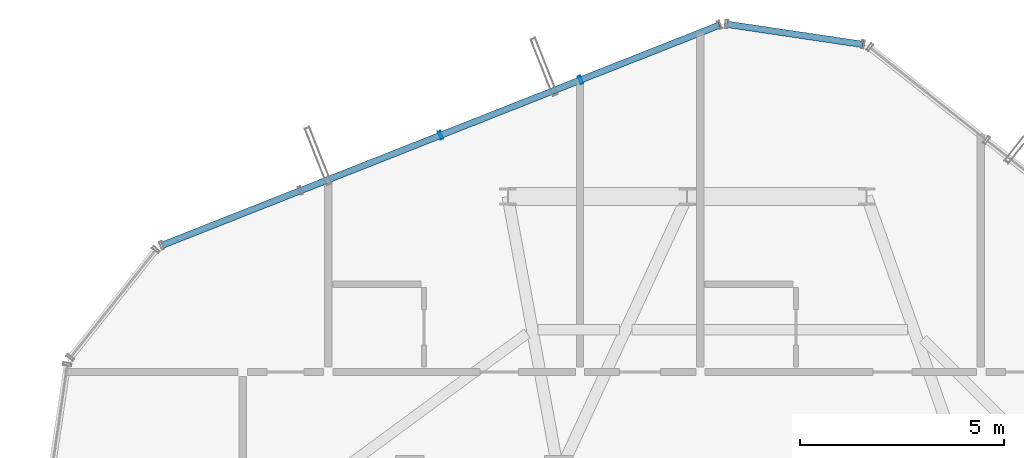
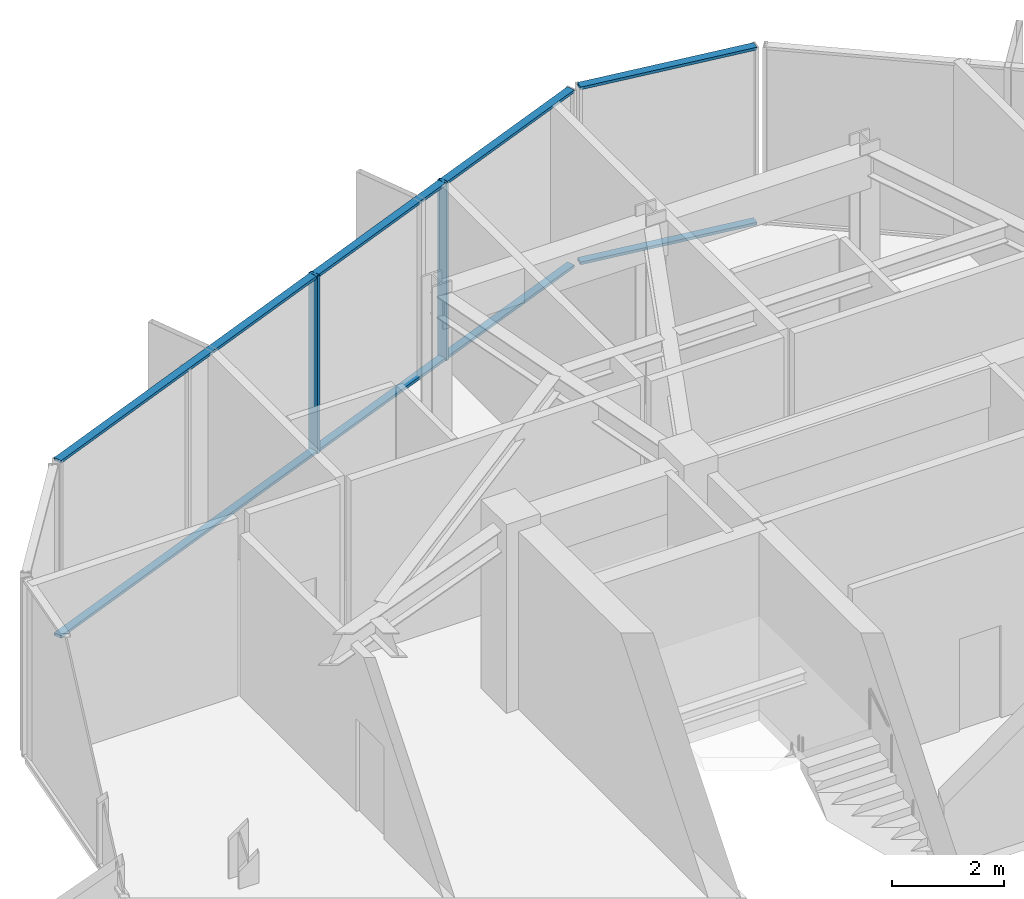
# One storey, part 15 of 22: 6 members, 2 elements without a shape of their own.
"""IFC4 building model written with IfcOpenShell, lengths in metres."""

from ifc_helpers import new_model, si_unit, direction, frame, origin, origin_2d, place, context, subcontext, project, spatial, hollow_rectangle, extrude, source, transform, mapped, material, layer, layer_set, material_profile, profile_set, type_object, element, aggregate, save


model = new_model("IFC4")

# Units and contexts
model_context = context("Model", 3, precision=1e-05, world=origin(), true_north=direction((0.0, 1.0)))
body_context = subcontext(model_context, "Body", "Model", "MODEL_VIEW")
ifc_project = project(units=[si_unit("LENGTHUNIT", "METRE"), si_unit("AREAUNIT", "SQUARE_METRE"), si_unit("VOLUMEUNIT", "CUBIC_METRE"), si_unit("PLANEANGLEUNIT", "RADIAN"), si_unit("MASSUNIT", "GRAM", prefix="KILO")], contexts=[model_context])

# Site, building, storey
site_placement = place(None, origin())
site = spatial("IfcSite", under=ifc_project, at=site_placement, CompositionType="ELEMENT")
building_placement = place(site_placement, origin())
building = spatial("IfcBuilding", under=site, at=building_placement, Name="Veraguas Prism Commons", CompositionType="ELEMENT")
storey_placement = place(building_placement, frame((0.0, 0.0, 236.550048828125)))
storey = spatial("IfcBuildingStorey", under=building, at=storey_placement, Name="L67", CompositionType="ELEMENT", Elevation=236.550048828125)

# Curtain wall, members
ifc_material = material(Name="Anodised aluminium EN AW-6063 T6", Category="aluminium")
ifc_layer = layer(ifc_material, 0.199951171875, Name="Sky Lobby and Pool Acoustic Curtain Wall", Category="aluminium")
ifc_layer_set = layer_set([ifc_layer], Name="Anodised aluminium EN AW-6063 T6")
curtain_wall_type = type_object("IfcCurtainWallType", Name="Sky Lobby and Pool Acoustic Curtain Wall", PredefinedType="NOTDEFINED", material=ifc_layer_set)
curtain_wall_1_placement = place(storey_placement, origin())
curtain_wall_1 = element("IfcCurtainWall", 1, at=curtain_wall_1_placement, inside=storey, type_object=curtain_wall_type, Name="Tower Facade Curtain Wall L67-F2", PredefinedType="NOTDEFINED")
ifc_material_profile_1 = material_profile(ifc_material, hollow_rectangle(XDim=0.06494140625, YDim=0.199951171875, WallThickness=0.00390625, at=origin_2d()), Name="AL65X200X4")
ifc_profile_set_1 = profile_set([ifc_material_profile_1], Name="Anodised aluminium EN AW-6063 T6")
member_type_1 = type_object("IfcMemberType", Name="Curtain Wall Mullion Heavy AL 65x200x4", PredefinedType="MULLION", material=ifc_profile_set_1)
shared_shape_1 = source(origin(), body_context, "Body", "SweptSolid", [
    extrude(hollow_rectangle(XDim=0.06494140625, YDim=0.199951171875, WallThickness=0.00390625, at=origin_2d()), origin(), (0.0, 0.0, 1.0), 3.864990234375),
])
member_1_placement = place(storey_placement, frame((21.38671875, 40.659912109375, 0.0), z_axis=(0.0, 0.0, 1.0), x_axis=(-0.930030051844, -0.367483472645, 0.0)))
member_1 = element("IfcMember", 2, at=member_1_placement, type_object=member_type_1, Name="CW-SKY Mullion 2", PredefinedType="MULLION", context=body_context, shape_type="MappedRepresentation", body=[
    mapped(shared_shape_1, transform((0.0, 0.0, 0.0), scale=1.0)),
])
member_2_placement = place(storey_placement, frame((17.953369140625, 39.30322265625, 0.0), z_axis=(0.0, 0.0, 1.0), x_axis=(-0.930030051844, -0.367483472645, 0.0)))
member_2 = element("IfcMember", 3, at=member_2_placement, type_object=member_type_1, Name="CW-SKY Mullion 3", PredefinedType="MULLION", context=body_context, shape_type="MappedRepresentation", body=[
    mapped(shared_shape_1, transform((0.0, 0.0, 0.0), scale=1.0)),
])
ifc_material_profile_2 = material_profile(ifc_material, hollow_rectangle(XDim=0.06005859375, YDim=0.159912109375, WallThickness=0.0029296875, at=origin_2d()), Name="AL60X160X3")
ifc_profile_set_2 = profile_set([ifc_material_profile_2], Name="Anodised aluminium EN AW-6063 T6")
member_type_2 = type_object("IfcMemberType", Name="Curtain Wall Transom Heavy AL 60x160x3", PredefinedType="USERDEFINED", material=ifc_profile_set_2)
shared_shape_2 = source(origin(), body_context, "Body", "SweptSolid", [
    extrude(hollow_rectangle(XDim=0.06005859375, YDim=0.159912109375, WallThickness=0.0029296875, at=origin_2d()), origin(), (0.0, 0.0, 1.0), 14.701416015625),
])
member_3_placement = place(storey_placement, frame((24.789794921875, 42.00439453125, 0.030029296875), z_axis=(-0.930035174405, -0.367470508164, 0.0), x_axis=(0.0, 0.0, 1.0)))
member_3 = element("IfcMember", 4, at=member_3_placement, type_object=member_type_2, Name="CW-SKY Transom 1", ObjectType="TRANSOM", PredefinedType="USERDEFINED", context=body_context, shape_type="MappedRepresentation", body=[
    mapped(shared_shape_2, transform((0.0, 0.0, 0.0), scale=1.0)),
])
member_4_placement = place(storey_placement, frame((24.789794921875, 42.00439453125, 3.8349609375), z_axis=(-0.930035174405, -0.367470508164, 0.0), x_axis=(0.0, 0.0, 1.0)))
member_4 = element("IfcMember", 5, at=member_4_placement, type_object=member_type_2, Name="CW-SKY Transom 2", ObjectType="TRANSOM", PredefinedType="USERDEFINED", context=body_context, shape_type="MappedRepresentation", body=[
    mapped(shared_shape_2, transform((0.0, 0.0, 0.0), scale=1.0)),
])
aggregate(curtain_wall_1, [member_1, member_2, member_3, member_4])

curtain_wall_2_placement = place(storey_placement, origin())
curtain_wall_2 = element("IfcCurtainWall", 6, at=curtain_wall_2_placement, inside=storey, type_object=curtain_wall_type, Name="Chamfer Curtain Wall L67-C2", PredefinedType="NOTDEFINED")
shared_shape_3 = source(origin(), body_context, "Body", "SweptSolid", [
    extrude(hollow_rectangle(XDim=0.06005859375, YDim=0.159912109375, WallThickness=0.0029296875, at=origin_2d()), origin(), (0.0, 0.0, 1.0), 3.37744140625),
])
member_5_placement = place(storey_placement, frame((28.30810546875, 41.529052734375, 0.030029296875), z_axis=(-0.989164227475, 0.146813252412, 0.0), x_axis=(0.0, 0.0, 1.0)))
member_5 = element("IfcMember", 7, at=member_5_placement, type_object=member_type_2, Name="CW-SKY Transom 1", ObjectType="TRANSOM", PredefinedType="USERDEFINED", context=body_context, shape_type="MappedRepresentation", body=[
    mapped(shared_shape_3, transform((0.0, 0.0, 0.0), scale=1.0)),
])
member_6_placement = place(storey_placement, frame((28.30810546875, 41.529052734375, 3.8349609375), z_axis=(-0.989164227475, 0.146813252412, 0.0), x_axis=(0.0, 0.0, 1.0)))
member_6 = element("IfcMember", 8, at=member_6_placement, type_object=member_type_2, Name="CW-SKY Transom 2", ObjectType="TRANSOM", PredefinedType="USERDEFINED", context=body_context, shape_type="MappedRepresentation", body=[
    mapped(shared_shape_3, transform((0.0, 0.0, 0.0), scale=1.0)),
])
aggregate(curtain_wall_2, [member_5, member_6])

save(model, "model.ifc")
